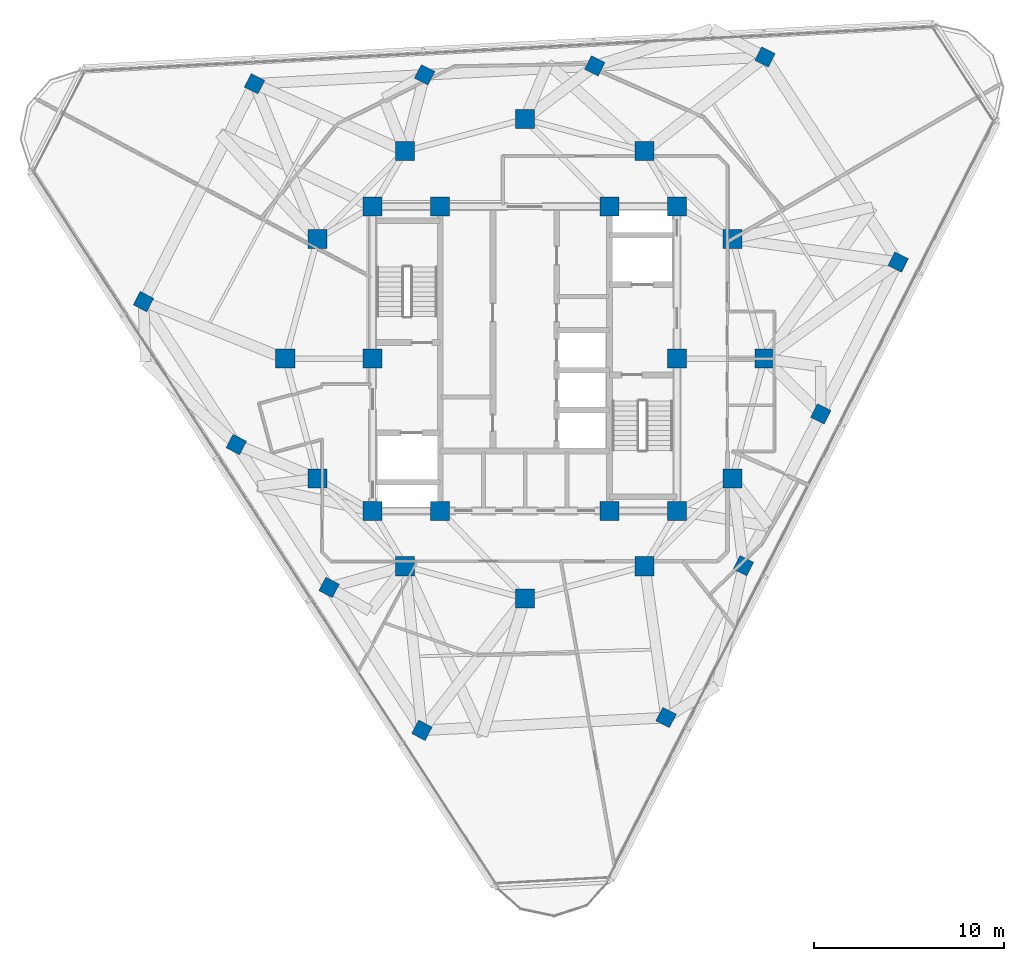
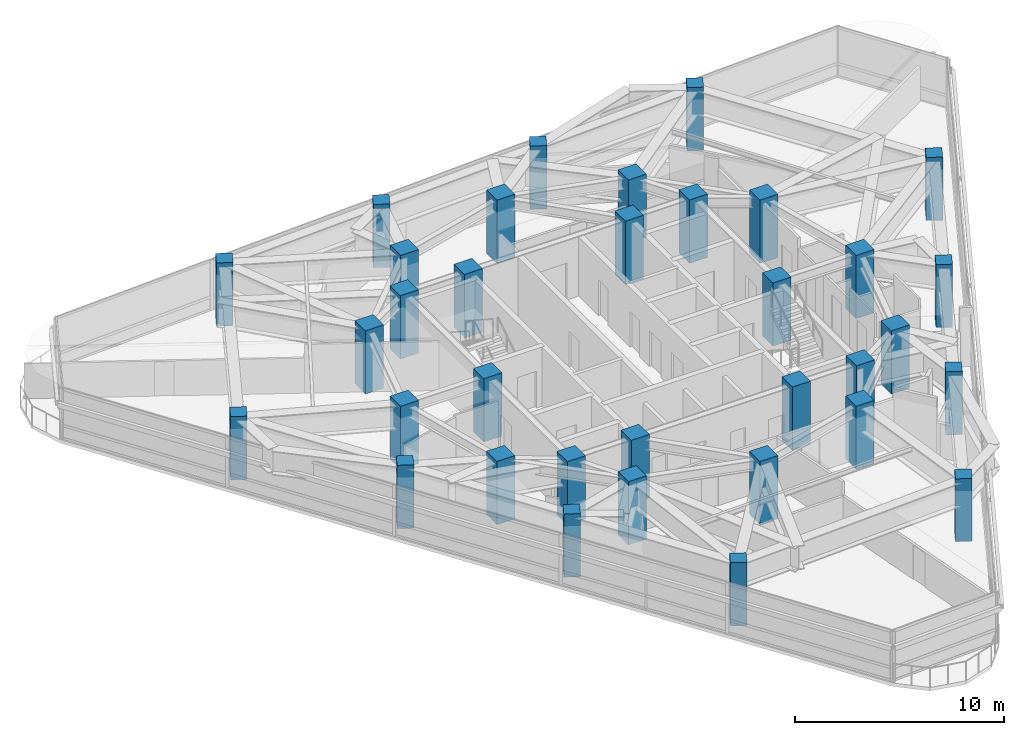
# One storey, part 1 of 15: 34 columns.
"""IFC4 building model written with IfcOpenShell, lengths in metres."""

from ifc_helpers import new_model, si_unit, direction, frame, origin, origin_2d, place, context, subcontext, project, spatial, rectangle, extrude, material, material_profile, profile_set, type_object, element, save


model = new_model("IFC4")

# Units and contexts
model_context = context("Model", 3, precision=1e-05, world=origin(), true_north=direction((0.0, 1.0)))
body_context = subcontext(model_context, "Body", "Model", "MODEL_VIEW")
ifc_project = project(units=[si_unit("LENGTHUNIT", "METRE"), si_unit("AREAUNIT", "SQUARE_METRE"), si_unit("VOLUMEUNIT", "CUBIC_METRE"), si_unit("PLANEANGLEUNIT", "RADIAN"), si_unit("MASSUNIT", "GRAM", prefix="KILO")], contexts=[model_context])

# Site, building, storey
site_placement = place(None, origin())
site = spatial("IfcSite", under=ifc_project, at=site_placement, CompositionType="ELEMENT")
building_placement = place(site_placement, origin())
building = spatial("IfcBuilding", under=site, at=building_placement, Name="Terralouvre Media Tower", CompositionType="ELEMENT")
storey_placement = place(building_placement, frame((0.0, 0.0, 274.39990234375)))
storey = spatial("IfcBuildingStorey", under=building, at=storey_placement, Name="L71", CompositionType="ELEMENT", Elevation=274.39990234375)

# Columns
ifc_material_1 = material(Name="Concrete C50/60", Category="concrete")
ifc_material_profile_1 = material_profile(ifc_material_1, rectangle(XDim=1.0, YDim=1.0, at=origin_2d()), Name="RC 1000x1000")
ifc_profile_set_1 = profile_set([ifc_material_profile_1], Name="Concrete C50/60")
column_type_1 = type_object("IfcColumnType", Name="Structural Column C-RC1000 (RC 1000x1000)", PredefinedType="COLUMN", material=ifc_profile_set_1)
for number, where, z_axis, x_axis, name in (
    (1, (-8.0, -8.0, 0.0), (0.0, 0.0, 1.0), (1.0, 0.0, 0.0), "L71 Core Pilaster Column CP1"),
    (2, (-4.449951171875, -8.0, 0.0), (0.0, 0.0, 1.0), (1.0, 0.0, 0.0), "L71 Core Pilaster Column CP2"),
    (3, (4.449951171875, -8.0, 0.0), (0.0, 0.0, 1.0), (1.0, 0.0, 0.0), "L71 Core Pilaster Column CP10"),
    (4, (8.0, -8.0, 0.0), (0.0, 0.0, 1.0), (1.0, 0.0, 0.0), "L71 Core Pilaster Column CP3"),
    (5, (8.0, 0.0, 0.0), (0.0, 0.0, 1.0), (1.0, 0.0, 0.0), "L71 Core Pilaster Column CP4"),
    (6, (8.0, 8.0, 0.0), (0.0, 0.0, 1.0), (1.0, 0.0, 0.0), "L71 Core Pilaster Column CP5"),
    (7, (4.449951171875, 8.0, 0.0), (0.0, 0.0, 1.0), (1.0, 0.0, 0.0), "L71 Core Pilaster Column CP9"),
    (8, (-4.449951171875, 8.0, 0.0), (0.0, 0.0, 1.0), (1.0, 0.0, 0.0), "L71 Core Pilaster Column CP6"),
    (9, (-8.0, 8.0, 0.0), (0.0, 0.0, 1.0), (1.0, 0.0, 0.0), "L71 Core Pilaster Column CP7"),
    (10, (-8.0, 0.0, 0.0), (0.0, 0.0, 1.0), (1.0, 0.0, 0.0), "L71 Core Pilaster Column CP8"),
    (11, (12.60009765625, 0.0, 0.0), (0.0, 0.0, 1.0), (1.0, 0.0, 0.0), "L71 Mega-Frame Column MC01"),
    (12, (10.911865234375, 6.300048828125, 0.0), (0.0, 0.0, 1.0), (1.0, 0.0, 0.0), "L71 Mega-Frame Column MC02"),
    (13, (6.300048828125, 10.911865234375, 0.0), (0.0, 0.0, 1.0), (1.0, 0.0, 0.0), "L71 Mega-Frame Column MC03"),
    (14, (0.0, 12.60009765625, 0.0), (0.0, 0.0, 1.0), (1.0, 0.0, 0.0), "L71 Mega-Frame Column MC04"),
    (15, (-6.300048828125, 10.911865234375, 0.0), (0.0, 0.0, 1.0), (1.0, 0.0, 0.0), "L71 Mega-Frame Column MC05"),
    (16, (-10.911865234375, 6.300048828125, 0.0), (0.0, 0.0, 1.0), (1.0, 0.0, 0.0), "L71 Mega-Frame Column MC06"),
    (17, (-12.60009765625, 0.0, 0.0), (0.0, 0.0, 1.0), (1.0, 0.0, 0.0), "L71 Mega-Frame Column MC07"),
    (18, (-10.911865234375, -6.300048828125, 0.0), (0.0, 0.0, 1.0), (1.0, 0.0, 0.0), "L71 Mega-Frame Column MC08"),
    (19, (-6.300048828125, -10.911865234375, 0.0), (0.0, 0.0, 1.0), (1.0, 0.0, 0.0), "L71 Mega-Frame Column MC09"),
    (20, (0.0, -12.60009765625, 0.0), (0.0, 0.0, 1.0), (1.0, 0.0, 0.0), "L71 Mega-Frame Column MC10"),
    (21, (6.300048828125, -10.911865234375, 0.0), (0.0, 0.0, 1.0), (1.0, 0.0, 0.0), "L71 Mega-Frame Column MC11"),
    (22, (10.911865234375, -6.300048828125, 0.0), (0.0, 0.0, 1.0), (1.0, 0.0, 0.0), "L71 Mega-Frame Column MC12"),
):
    element("IfcColumn", number, at=place(storey_placement, frame(where, z_axis=z_axis, x_axis=x_axis)), inside=storey, type_object=column_type_1, Name=name, PredefinedType="COLUMN", context=body_context, shape_type="SweptSolid", body=[
        extrude(rectangle(XDim=1.0, YDim=1.0, at=origin_2d()), origin(), (0.0, 0.0, 1.0), 3.7001953125),
    ])
ifc_material_2 = material(Name="Concrete C50/60", Category="concrete")
ifc_material_profile_2 = material_profile(ifc_material_2, rectangle(XDim=0.800048828125, YDim=0.800048828125, at=origin_2d()), Name="RC 800x800")
ifc_profile_set_2 = profile_set([ifc_material_profile_2], Name="Concrete C50/60")
column_type_2 = type_object("IfcColumnType", Name="Structural Column C-RC800 (RC 800x800)", PredefinedType="COLUMN", material=ifc_profile_set_2)
for number, where, z_axis, x_axis, name in (
    (23, (7.42626953125, -18.867919921875, 0.0), (0.0, 0.0, 1.0), (0.45399049974, 0.891006524188, 0.0), "L71 Perimeter Mega-Column PC11"),
    (24, (11.493896484375, -10.884521484375, 0.0), (0.0, 0.0, 1.0), (0.45399049974, 0.891006524188, 0.0), "L71 Perimeter Mega-Column PC12"),
    (25, (15.561767578125, -2.901123046875, 0.0), (0.0, 0.0, 1.0), (0.45399049974, 0.891006524188, 0.0), "L71 Perimeter Mega-Column PC13"),
    (26, (19.62939453125, 5.082275390625, 0.0), (0.0, 0.0, 1.0), (0.45399049974, 0.891006524188, 0.0), "L71 Perimeter Mega-Column PC14"),
    (27, (12.626953125, 15.865234375, 0.0), (0.0, 0.0, 1.0), (0.45399049974, 0.891006524188, 0.0), "L71 Perimeter Mega-Column PC21"),
    (28, (3.67919921875, 15.396240234375, 0.0), (0.0, 0.0, 1.0), (0.45399049974, 0.891006524188, 0.0), "L71 Perimeter Mega-Column PC22"),
    (29, (-5.2685546875, 14.927490234375, 0.0), (0.0, 0.0, 1.0), (0.45399049974, 0.891006524188, 0.0), "L71 Perimeter Mega-Column PC23"),
    (30, (-14.21630859375, 14.45849609375, 0.0), (0.0, 0.0, 1.0), (0.45399049974, 0.891006524188, 0.0), "L71 Perimeter Mega-Column PC24"),
    (31, (-20.05322265625, 3.002685546875, 0.0), (0.0, 0.0, 1.0), (0.45399049974, 0.891006524188, 0.0), "L71 Perimeter Mega-Column PC31"),
    (32, (-15.17333984375, -4.51171875, 0.0), (0.0, 0.0, 1.0), (0.45399049974, 0.891006524188, 0.0), "L71 Perimeter Mega-Column PC32"),
    (33, (-10.293212890625, -12.0263671875, 0.0), (0.0, 0.0, 1.0), (0.45399049974, 0.891006524188, 0.0), "L71 Perimeter Mega-Column PC33"),
    (34, (-5.413330078125, -19.540771484375, 0.0), (0.0, 0.0, 1.0), (0.45399049974, 0.891006524188, 0.0), "L71 Perimeter Mega-Column PC34"),
):
    element("IfcColumn", number, at=place(storey_placement, frame(where, z_axis=z_axis, x_axis=x_axis)), inside=storey, type_object=column_type_2, Name=name, PredefinedType="COLUMN", context=body_context, shape_type="SweptSolid", body=[
        extrude(rectangle(XDim=0.800048828125, YDim=0.800048828125, at=origin_2d()), origin(), (0.0, 0.0, 1.0), 3.7001953125),
    ])

save(model, "model.ifc")
